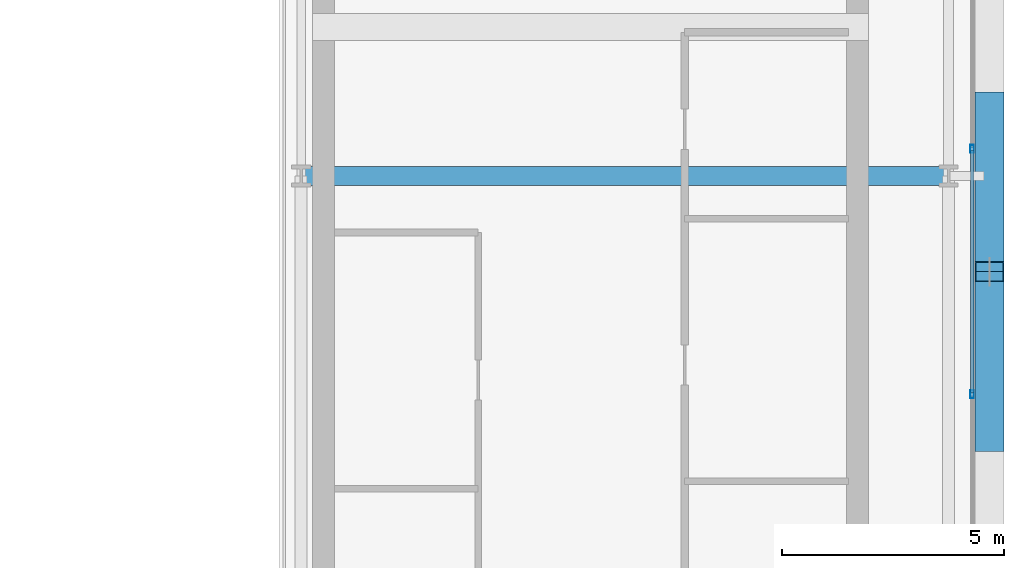
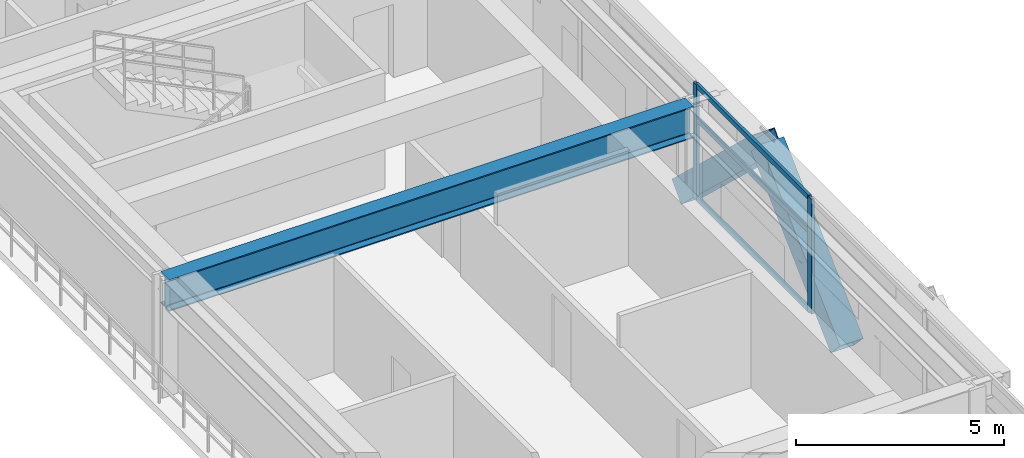
# One storey, part 13 of 31: 7 members, 1 beam, 1 element without a shape of its own.
"""IFC4 building model written with IfcOpenShell, lengths in metres."""

from ifc_helpers import new_model, si_unit, direction, frame, origin, origin_2d, place, context, subcontext, project, spatial, hollow_rectangle, i_section, extrude, source, transform, mapped, material, layer, layer_set, material_profile, profile_set, type_object, element, aggregate, save


model = new_model("IFC4")

# Units and contexts
model_context = context("Model", 3, precision=1e-05, world=origin(), true_north=direction((0.0, 1.0)))
body_context = subcontext(model_context, "Body", "Model", "MODEL_VIEW")
ifc_project = project(units=[si_unit("LENGTHUNIT", "METRE"), si_unit("AREAUNIT", "SQUARE_METRE"), si_unit("VOLUMEUNIT", "CUBIC_METRE"), si_unit("PLANEANGLEUNIT", "RADIAN"), si_unit("MASSUNIT", "GRAM", prefix="KILO")], contexts=[model_context])

# Site, building, storey
site_placement = place(None, origin())
site = spatial("IfcSite", under=ifc_project, at=site_placement, CompositionType="ELEMENT")
building_placement = place(site_placement, origin())
building = spatial("IfcBuilding", under=site, at=building_placement, Name="Ocotamira Hotel", CompositionType="ELEMENT")
storey_placement = place(building_placement, frame((0.0, 0.0, 210.0)))
storey = spatial("IfcBuildingStorey", under=building, at=storey_placement, Name="L53", CompositionType="ELEMENT", Elevation=210.0)

# Beam
ifc_material_1 = material(Name="Steel ASTM A992 Grade 50", Category="steel")
ifc_material_profile_1 = material_profile(ifc_material_1, i_section(OverallWidth=0.41796875, OverallDepth=0.927001953125, WebThickness=0.019287109375, FlangeThickness=0.031982421875, FilletRadius=0.02392578125, at=origin_2d()), Name="W36X231")
ifc_profile_set_1 = profile_set([ifc_material_profile_1], Name="Steel ASTM A992 Grade 50")
beam_type = type_object("IfcBeamType", Name="BM-GIRD-W36X231", PredefinedType="BEAM", material=ifc_profile_set_1)
shared_shape_1 = source(origin(), body_context, "Body", "SweptSolid", [
    extrude(i_section(OverallWidth=0.41796875, OverallDepth=0.927001953125, WebThickness=0.019287109375, FlangeThickness=0.031982421875, FilletRadius=0.02392578125, at=origin_2d()), origin(), (0.0, 0.0, 1.0), 14.550048828125),
])
beam_placement = place(storey_placement, frame((40.5, 28.14990234375, 2.906494140625), z_axis=(1.0, 0.0, 0.0), x_axis=(0.0, 1.0, 0.0)))
element("IfcBeam", 1, at=beam_placement, inside=storey, type_object=beam_type, Name="L53 Girder Y28.15 X40.5-55.05", PredefinedType="BEAM", context=body_context, shape_type="MappedRepresentation", body=[
    mapped(shared_shape_1, transform((0.0, 0.0, 0.0), scale=1.0)),
])

# Members
ifc_material_2 = material(Name="Pale-metal coated steel ASTM A913 Grade 65", Category="steel")
ifc_material_profile_2 = material_profile(ifc_material_2, hollow_rectangle(XDim=0.64990234375, YDim=0.64990234375, WallThickness=0.02197265625, at=origin_2d()), Name="BOX650X650X22")
ifc_profile_set_2 = profile_set([ifc_material_profile_2], Name="Pale-metal coated steel ASTM A913 Grade 65")
member_type_1 = type_object("IfcMemberType", Name="MEM-EXO-BOX650", PredefinedType="BRACE", material=ifc_profile_set_2)
shared_shape_2 = source(origin(), body_context, "Body", "SweptSolid", [
    extrude(hollow_rectangle(XDim=0.64990234375, YDim=0.64990234375, WallThickness=0.02197265625, at=origin_2d()), origin(), (0.0, 0.0, 1.0), 5.24658203125),
])
for number, where, z_axis, x_axis, name in (
    (2, (55.969970703125, 22.183349609375, -0.47998046875), (0.0, 0.727442733726, 0.686168397078), (-1.0, 0.0, 0.0), "L53 Exoskeleton Diagrid E1.1"),
    (3, (55.969970703125, 29.816650390625, -0.47998046875), (0.0, -0.727442733726, 0.686168397078), (1.0, 0.0, 0.0), "L53 Exoskeleton Diagrid E1.2"),
):
    element("IfcMember", number, at=place(storey_placement, frame(where, z_axis=z_axis, x_axis=x_axis)), inside=storey, type_object=member_type_1, Name=name, PredefinedType="BRACE", context=body_context, shape_type="MappedRepresentation", body=[
        mapped(shared_shape_2, transform((0.0, 0.0, 0.0), scale=1.0)),
    ])

# Curtain wall, members
ifc_material_3 = material(Name="Anodised pale-metal aluminium and solar glass", Category="aluminium")
ifc_layer = layer(ifc_material_3, 0.199951171875)
ifc_layer_set = layer_set([ifc_layer], Name="Anodised pale-metal aluminium and solar glass")
curtain_wall_type = type_object("IfcCurtainWallType", Name="CW-SYS4-Z3", PredefinedType="NOTDEFINED", material=ifc_layer_set)
curtain_wall_placement = place(storey_placement, origin())
curtain_wall = element("IfcCurtainWall", 4, at=curtain_wall_placement, inside=storey, type_object=curtain_wall_type, Name="L53 Curtain Wall CW-4 CW-L53-E", PredefinedType="NOTDEFINED")
ifc_material_4 = material(Name="Anodised pale-metal aluminium 6063-T6", Category="aluminium")
ifc_material_profile_3 = material_profile(ifc_material_4, hollow_rectangle(XDim=0.080078125, YDim=0.179931640625, WallThickness=0.006103515625, at=origin_2d()), Name="HSS180X80X6")
ifc_profile_set_3 = profile_set([ifc_material_profile_3], Name="Anodised pale-metal aluminium 6063-T6")
member_type_2 = type_object("IfcMemberType", Name="CWM-180X75", PredefinedType="MULLION", material=ifc_profile_set_3)
shared_shape_3 = source(origin(), body_context, "Body", "SweptSolid", [
    extrude(hollow_rectangle(XDim=0.080078125, YDim=0.179931640625, WallThickness=0.006103515625, at=origin_2d()), origin(), (0.0, 0.0, 1.0), 3.3701171875),
])
member_1_placement = place(storey_placement, frame((55.580078125, 23.239990234375, 0.0), z_axis=(0.0, 0.0, 1.0), x_axis=(-1.0, 0.0, 0.0)))
member_1 = element("IfcMember", 5, at=member_1_placement, type_object=member_type_2, Name="CW-4 mullion 3", PredefinedType="MULLION", context=body_context, shape_type="MappedRepresentation", body=[
    mapped(shared_shape_3, transform((0.0, 0.0, 0.0), scale=1.0)),
])
member_2_placement = place(storey_placement, frame((55.580078125, 28.760009765625, 0.0), z_axis=(0.0, 0.0, 1.0), x_axis=(-1.0, 0.0, 0.0)))
member_2 = element("IfcMember", 6, at=member_2_placement, type_object=member_type_2, Name="CW-4 mullion 4", PredefinedType="MULLION", context=body_context, shape_type="MappedRepresentation", body=[
    mapped(shared_shape_3, transform((0.0, 0.0, 0.0), scale=1.0)),
])
ifc_material_profile_4 = material_profile(ifc_material_4, hollow_rectangle(XDim=0.074951171875, YDim=0.14990234375, WallThickness=0.006103515625, at=origin_2d()), Name="HSS150X75X6")
ifc_profile_set_4 = profile_set([ifc_material_profile_4], Name="Anodised pale-metal aluminium 6063-T6")
member_type_3 = type_object("IfcMemberType", Name="CWT-150X75", PredefinedType="USERDEFINED", material=ifc_profile_set_4)
shared_shape_4 = source(origin(), body_context, "Body", "SweptSolid", [
    extrude(hollow_rectangle(XDim=0.074951171875, YDim=0.14990234375, WallThickness=0.006103515625, at=origin_2d()), origin(), (0.0, 0.0, 1.0), 5.43994140625),
])
member_3_placement = place(storey_placement, frame((55.580078125, 23.280029296875, 0.03759765625), z_axis=(0.0, 1.0, 0.0), x_axis=(-1.0, 0.0, 0.0)))
member_3 = element("IfcMember", 7, at=member_3_placement, type_object=member_type_3, Name="CW-4 transom 3.1", ObjectType="TRANSOM", PredefinedType="USERDEFINED", context=body_context, shape_type="MappedRepresentation", body=[
    mapped(shared_shape_4, transform((0.0, 0.0, 0.0), scale=1.0)),
])
member_4_placement = place(storey_placement, frame((55.580078125, 23.280029296875, 2.35009765625), z_axis=(0.0, 1.0, 0.0), x_axis=(-1.0, 0.0, 0.0)))
member_4 = element("IfcMember", 8, at=member_4_placement, type_object=member_type_3, Name="CW-4 transom 3.2", ObjectType="TRANSOM", PredefinedType="USERDEFINED", context=body_context, shape_type="MappedRepresentation", body=[
    mapped(shared_shape_4, transform((0.0, 0.0, 0.0), scale=1.0)),
])
member_5_placement = place(storey_placement, frame((55.580078125, 23.280029296875, 3.33251953125), z_axis=(0.0, 1.0, 0.0), x_axis=(-1.0, 0.0, 0.0)))
member_5 = element("IfcMember", 9, at=member_5_placement, type_object=member_type_3, Name="CW-4 transom 3.3", ObjectType="TRANSOM", PredefinedType="USERDEFINED", context=body_context, shape_type="MappedRepresentation", body=[
    mapped(shared_shape_4, transform((0.0, 0.0, 0.0), scale=1.0)),
])
aggregate(curtain_wall, [member_1, member_2, member_3, member_4, member_5])

save(model, "model.ifc")
